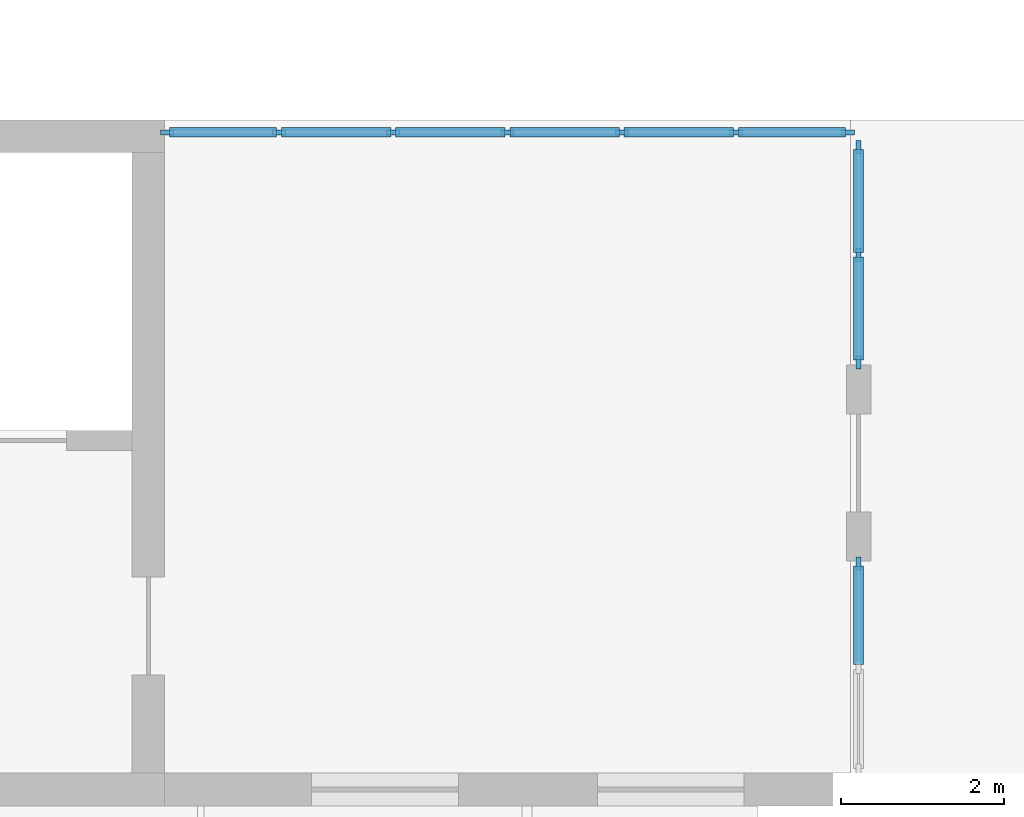
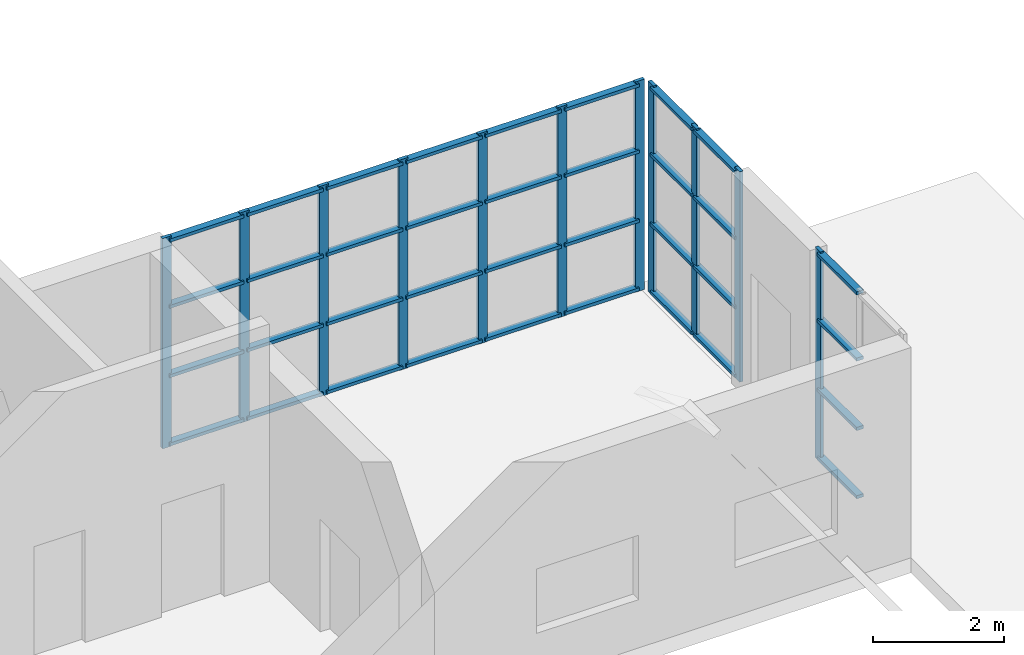
# One storey, part 43 of 100: 47 members, 3 elements without a shape of their own.
"""IFC4 building model written with IfcOpenShell, lengths in metres."""

from ifc_helpers import new_model, si_unit, direction, frame, origin, origin_2d, place, context, subcontext, project, spatial, rectangle, extrude, material, material_profile, profile_set, type_object, element, aggregate, save


model = new_model("IFC4")

# Units and contexts
model_context = context("Model", 3, precision=1e-05, world=origin(), true_north=direction((0.0, 1.0)))
body_context = subcontext(model_context, "Body", "Model", "MODEL_VIEW")
ifc_project = project(units=[si_unit("LENGTHUNIT", "METRE"), si_unit("AREAUNIT", "SQUARE_METRE"), si_unit("VOLUMEUNIT", "CUBIC_METRE"), si_unit("PLANEANGLEUNIT", "RADIAN"), si_unit("MASSUNIT", "GRAM", prefix="KILO")], contexts=[model_context])

# Site, building, storey
site_placement = place(None, origin())
site = spatial("IfcSite", under=ifc_project, at=site_placement, CompositionType="ELEMENT")
building_placement = place(site_placement, origin())
building = spatial("IfcBuilding", under=site, at=building_placement, Name="Cresset Court Congress Hotel", CompositionType="ELEMENT")
storey_placement = place(building_placement, frame((0.0, 0.0, 10.199951171875)))
storey = spatial("IfcBuildingStorey", under=building, at=storey_placement, Name="L02", CompositionType="ELEMENT", Elevation=10.199951171875)

# Curtain wall, members
ifc_material_1 = material(Name="Aluminium frame with insulated glass", Category="aluminium")
curtain_wall_type_1 = type_object("IfcCurtainWallType", Name="Curtain wall module 1400", PredefinedType="NOTDEFINED", material=ifc_material_1)
curtain_wall_1_placement = place(storey_placement, origin())
curtain_wall_1 = element("IfcCurtainWall", 1, at=curtain_wall_1_placement, inside=storey, type_object=curtain_wall_type_1, Name="Curtain wall N", PredefinedType="NOTDEFINED")
ifc_material_2 = material(Name="Aluminium", Category="aluminium")
ifc_material_profile_1 = material_profile(ifc_material_2, rectangle(XDim=0.1201171875, YDim=0.06005859375, at=origin_2d()), Name="AL 120x60")
ifc_profile_set_1 = profile_set([ifc_material_profile_1], Name="Aluminium")
member_type_1 = type_object("IfcMemberType", Name="CW transom RECT 120x60", PredefinedType="USERDEFINED", material=ifc_profile_set_1)
member_1_placement = place(storey_placement, frame((142.860107421875, 109.050048828125, 0.06005859375), z_axis=(1.0, 0.0, 0.0), x_axis=(0.0, 1.0, 0.0)))
member_1 = element("IfcMember", 2, at=member_1_placement, type_object=member_type_1, Name="D-X2 transom 1.1", ObjectType="TRANSOM", PredefinedType="USERDEFINED", context=body_context, shape_type="SweptSolid", body=[
    extrude(rectangle(XDim=0.1201171875, YDim=0.06005859375, at=origin_2d()), origin(), (0.0, 0.0, 1.0), 1.309814453125),
])
member_2_placement = place(storey_placement, frame((142.860107421875, 109.050048828125, 1.3330078125), z_axis=(1.0, 0.0, 0.0), x_axis=(0.0, 1.0, 0.0)))
member_2 = element("IfcMember", 3, at=member_2_placement, type_object=member_type_1, Name="D-X2 transom 1.2", ObjectType="TRANSOM", PredefinedType="USERDEFINED", context=body_context, shape_type="SweptSolid", body=[
    extrude(rectangle(XDim=0.1201171875, YDim=0.06005859375, at=origin_2d()), origin(), (0.0, 0.0, 1.0), 1.309814453125),
])
member_3_placement = place(storey_placement, frame((142.860107421875, 109.050048828125, 2.6259765625), z_axis=(1.0, 0.0, 0.0), x_axis=(0.0, 1.0, 0.0)))
member_3 = element("IfcMember", 4, at=member_3_placement, type_object=member_type_1, Name="D-X2 transom 1.3", ObjectType="TRANSOM", PredefinedType="USERDEFINED", context=body_context, shape_type="SweptSolid", body=[
    extrude(rectangle(XDim=0.1201171875, YDim=0.06005859375, at=origin_2d()), origin(), (0.0, 0.0, 1.0), 1.309814453125),
])
member_4_placement = place(storey_placement, frame((142.860107421875, 109.050048828125, 3.860107421875), z_axis=(1.0, 0.0, 0.0), x_axis=(0.0, 1.0, 0.0)))
member_4 = element("IfcMember", 5, at=member_4_placement, type_object=member_type_1, Name="D-X2 transom 1.4", ObjectType="TRANSOM", PredefinedType="USERDEFINED", context=body_context, shape_type="SweptSolid", body=[
    extrude(rectangle(XDim=0.1201171875, YDim=0.06005859375, at=origin_2d()), origin(), (0.0, 0.0, 1.0), 1.309814453125),
])
member_5_placement = place(storey_placement, frame((144.22998046875, 109.050048828125, 0.06005859375), z_axis=(1.0, 0.0, 0.0), x_axis=(0.0, 1.0, 0.0)))
member_5 = element("IfcMember", 6, at=member_5_placement, type_object=member_type_1, Name="D-X2 transom 2.1", ObjectType="TRANSOM", PredefinedType="USERDEFINED", context=body_context, shape_type="SweptSolid", body=[
    extrude(rectangle(XDim=0.1201171875, YDim=0.06005859375, at=origin_2d()), origin(), (0.0, 0.0, 1.0), 1.340087890625),
])
member_6_placement = place(storey_placement, frame((144.22998046875, 109.050048828125, 1.3330078125), z_axis=(1.0, 0.0, 0.0), x_axis=(0.0, 1.0, 0.0)))
member_6 = element("IfcMember", 7, at=member_6_placement, type_object=member_type_1, Name="D-X2 transom 2.2", ObjectType="TRANSOM", PredefinedType="USERDEFINED", context=body_context, shape_type="SweptSolid", body=[
    extrude(rectangle(XDim=0.1201171875, YDim=0.06005859375, at=origin_2d()), origin(), (0.0, 0.0, 1.0), 1.340087890625),
])
member_7_placement = place(storey_placement, frame((144.22998046875, 109.050048828125, 2.6259765625), z_axis=(1.0, 0.0, 0.0), x_axis=(0.0, 1.0, 0.0)))
member_7 = element("IfcMember", 8, at=member_7_placement, type_object=member_type_1, Name="D-X2 transom 2.3", ObjectType="TRANSOM", PredefinedType="USERDEFINED", context=body_context, shape_type="SweptSolid", body=[
    extrude(rectangle(XDim=0.1201171875, YDim=0.06005859375, at=origin_2d()), origin(), (0.0, 0.0, 1.0), 1.340087890625),
])
member_8_placement = place(storey_placement, frame((144.22998046875, 109.050048828125, 3.860107421875), z_axis=(1.0, 0.0, 0.0), x_axis=(0.0, 1.0, 0.0)))
member_8 = element("IfcMember", 9, at=member_8_placement, type_object=member_type_1, Name="D-X2 transom 2.4", ObjectType="TRANSOM", PredefinedType="USERDEFINED", context=body_context, shape_type="SweptSolid", body=[
    extrude(rectangle(XDim=0.1201171875, YDim=0.06005859375, at=origin_2d()), origin(), (0.0, 0.0, 1.0), 1.340087890625),
])
member_9_placement = place(storey_placement, frame((145.6298828125, 109.050048828125, 0.06005859375), z_axis=(1.0, 0.0, 0.0), x_axis=(0.0, 1.0, 0.0)))
member_9 = element("IfcMember", 10, at=member_9_placement, type_object=member_type_1, Name="D-X2 transom 3.1", ObjectType="TRANSOM", PredefinedType="USERDEFINED", context=body_context, shape_type="SweptSolid", body=[
    extrude(rectangle(XDim=0.1201171875, YDim=0.06005859375, at=origin_2d()), origin(), (0.0, 0.0, 1.0), 1.340087890625),
])
member_10_placement = place(storey_placement, frame((145.6298828125, 109.050048828125, 1.3330078125), z_axis=(1.0, 0.0, 0.0), x_axis=(0.0, 1.0, 0.0)))
member_10 = element("IfcMember", 11, at=member_10_placement, type_object=member_type_1, Name="D-X2 transom 3.2", ObjectType="TRANSOM", PredefinedType="USERDEFINED", context=body_context, shape_type="SweptSolid", body=[
    extrude(rectangle(XDim=0.1201171875, YDim=0.06005859375, at=origin_2d()), origin(), (0.0, 0.0, 1.0), 1.340087890625),
])
member_11_placement = place(storey_placement, frame((145.6298828125, 109.050048828125, 2.6259765625), z_axis=(1.0, 0.0, 0.0), x_axis=(0.0, 1.0, 0.0)))
member_11 = element("IfcMember", 12, at=member_11_placement, type_object=member_type_1, Name="D-X2 transom 3.3", ObjectType="TRANSOM", PredefinedType="USERDEFINED", context=body_context, shape_type="SweptSolid", body=[
    extrude(rectangle(XDim=0.1201171875, YDim=0.06005859375, at=origin_2d()), origin(), (0.0, 0.0, 1.0), 1.340087890625),
])
member_12_placement = place(storey_placement, frame((145.6298828125, 109.050048828125, 3.860107421875), z_axis=(1.0, 0.0, 0.0), x_axis=(0.0, 1.0, 0.0)))
member_12 = element("IfcMember", 13, at=member_12_placement, type_object=member_type_1, Name="D-X2 transom 3.4", ObjectType="TRANSOM", PredefinedType="USERDEFINED", context=body_context, shape_type="SweptSolid", body=[
    extrude(rectangle(XDim=0.1201171875, YDim=0.06005859375, at=origin_2d()), origin(), (0.0, 0.0, 1.0), 1.340087890625),
])
member_13_placement = place(storey_placement, frame((147.030029296875, 109.050048828125, 0.06005859375), z_axis=(1.0, 0.0, 0.0), x_axis=(0.0, 1.0, 0.0)))
member_13 = element("IfcMember", 14, at=member_13_placement, type_object=member_type_1, Name="D-X2 transom 4.1", ObjectType="TRANSOM", PredefinedType="USERDEFINED", context=body_context, shape_type="SweptSolid", body=[
    extrude(rectangle(XDim=0.1201171875, YDim=0.06005859375, at=origin_2d()), origin(), (0.0, 0.0, 1.0), 1.340087890625),
])
member_14_placement = place(storey_placement, frame((147.030029296875, 109.050048828125, 1.3330078125), z_axis=(1.0, 0.0, 0.0), x_axis=(0.0, 1.0, 0.0)))
member_14 = element("IfcMember", 15, at=member_14_placement, type_object=member_type_1, Name="D-X2 transom 4.2", ObjectType="TRANSOM", PredefinedType="USERDEFINED", context=body_context, shape_type="SweptSolid", body=[
    extrude(rectangle(XDim=0.1201171875, YDim=0.06005859375, at=origin_2d()), origin(), (0.0, 0.0, 1.0), 1.340087890625),
])
member_15_placement = place(storey_placement, frame((147.030029296875, 109.050048828125, 2.6259765625), z_axis=(1.0, 0.0, 0.0), x_axis=(0.0, 1.0, 0.0)))
member_15 = element("IfcMember", 16, at=member_15_placement, type_object=member_type_1, Name="D-X2 transom 4.3", ObjectType="TRANSOM", PredefinedType="USERDEFINED", context=body_context, shape_type="SweptSolid", body=[
    extrude(rectangle(XDim=0.1201171875, YDim=0.06005859375, at=origin_2d()), origin(), (0.0, 0.0, 1.0), 1.340087890625),
])
member_16_placement = place(storey_placement, frame((147.030029296875, 109.050048828125, 3.860107421875), z_axis=(1.0, 0.0, 0.0), x_axis=(0.0, 1.0, 0.0)))
member_16 = element("IfcMember", 17, at=member_16_placement, type_object=member_type_1, Name="D-X2 transom 4.4", ObjectType="TRANSOM", PredefinedType="USERDEFINED", context=body_context, shape_type="SweptSolid", body=[
    extrude(rectangle(XDim=0.1201171875, YDim=0.06005859375, at=origin_2d()), origin(), (0.0, 0.0, 1.0), 1.340087890625),
])
member_17_placement = place(storey_placement, frame((148.429931640625, 109.050048828125, 0.06005859375), z_axis=(1.0, 0.0, 0.0), x_axis=(0.0, 1.0, 0.0)))
member_17 = element("IfcMember", 18, at=member_17_placement, type_object=member_type_1, Name="D-X2 transom 5.1", ObjectType="TRANSOM", PredefinedType="USERDEFINED", context=body_context, shape_type="SweptSolid", body=[
    extrude(rectangle(XDim=0.1201171875, YDim=0.06005859375, at=origin_2d()), origin(), (0.0, 0.0, 1.0), 1.340087890625),
])
member_18_placement = place(storey_placement, frame((148.429931640625, 109.050048828125, 1.3330078125), z_axis=(1.0, 0.0, 0.0), x_axis=(0.0, 1.0, 0.0)))
member_18 = element("IfcMember", 19, at=member_18_placement, type_object=member_type_1, Name="D-X2 transom 5.2", ObjectType="TRANSOM", PredefinedType="USERDEFINED", context=body_context, shape_type="SweptSolid", body=[
    extrude(rectangle(XDim=0.1201171875, YDim=0.06005859375, at=origin_2d()), origin(), (0.0, 0.0, 1.0), 1.340087890625),
])
member_19_placement = place(storey_placement, frame((148.429931640625, 109.050048828125, 2.6259765625), z_axis=(1.0, 0.0, 0.0), x_axis=(0.0, 1.0, 0.0)))
member_19 = element("IfcMember", 20, at=member_19_placement, type_object=member_type_1, Name="D-X2 transom 5.3", ObjectType="TRANSOM", PredefinedType="USERDEFINED", context=body_context, shape_type="SweptSolid", body=[
    extrude(rectangle(XDim=0.1201171875, YDim=0.06005859375, at=origin_2d()), origin(), (0.0, 0.0, 1.0), 1.340087890625),
])
member_20_placement = place(storey_placement, frame((148.429931640625, 109.050048828125, 3.860107421875), z_axis=(1.0, 0.0, 0.0), x_axis=(0.0, 1.0, 0.0)))
member_20 = element("IfcMember", 21, at=member_20_placement, type_object=member_type_1, Name="D-X2 transom 5.4", ObjectType="TRANSOM", PredefinedType="USERDEFINED", context=body_context, shape_type="SweptSolid", body=[
    extrude(rectangle(XDim=0.1201171875, YDim=0.06005859375, at=origin_2d()), origin(), (0.0, 0.0, 1.0), 1.340087890625),
])
member_21_placement = place(storey_placement, frame((149.830078125, 109.050048828125, 0.06005859375), z_axis=(1.0, 0.0, 0.0), x_axis=(0.0, 1.0, 0.0)))
member_21 = element("IfcMember", 22, at=member_21_placement, type_object=member_type_1, Name="D-X2 transom 6.1", ObjectType="TRANSOM", PredefinedType="USERDEFINED", context=body_context, shape_type="SweptSolid", body=[
    extrude(rectangle(XDim=0.1201171875, YDim=0.06005859375, at=origin_2d()), origin(), (0.0, 0.0, 1.0), 1.309814453125),
])
member_22_placement = place(storey_placement, frame((149.830078125, 109.050048828125, 1.3330078125), z_axis=(1.0, 0.0, 0.0), x_axis=(0.0, 1.0, 0.0)))
member_22 = element("IfcMember", 23, at=member_22_placement, type_object=member_type_1, Name="D-X2 transom 6.2", ObjectType="TRANSOM", PredefinedType="USERDEFINED", context=body_context, shape_type="SweptSolid", body=[
    extrude(rectangle(XDim=0.1201171875, YDim=0.06005859375, at=origin_2d()), origin(), (0.0, 0.0, 1.0), 1.309814453125),
])
member_23_placement = place(storey_placement, frame((149.830078125, 109.050048828125, 2.6259765625), z_axis=(1.0, 0.0, 0.0), x_axis=(0.0, 1.0, 0.0)))
member_23 = element("IfcMember", 24, at=member_23_placement, type_object=member_type_1, Name="D-X2 transom 6.3", ObjectType="TRANSOM", PredefinedType="USERDEFINED", context=body_context, shape_type="SweptSolid", body=[
    extrude(rectangle(XDim=0.1201171875, YDim=0.06005859375, at=origin_2d()), origin(), (0.0, 0.0, 1.0), 1.309814453125),
])
member_24_placement = place(storey_placement, frame((149.830078125, 109.050048828125, 3.860107421875), z_axis=(1.0, 0.0, 0.0), x_axis=(0.0, 1.0, 0.0)))
member_24 = element("IfcMember", 25, at=member_24_placement, type_object=member_type_1, Name="D-X2 transom 6.4", ObjectType="TRANSOM", PredefinedType="USERDEFINED", context=body_context, shape_type="SweptSolid", body=[
    extrude(rectangle(XDim=0.1201171875, YDim=0.06005859375, at=origin_2d()), origin(), (0.0, 0.0, 1.0), 1.309814453125),
])

ifc_material_3 = material(Name="Aluminium frame with insulated glass", Category="aluminium")
curtain_wall_type_2 = type_object("IfcCurtainWallType", Name="Curtain wall module 1300", PredefinedType="NOTDEFINED", material=ifc_material_3)
curtain_wall_2_placement = place(storey_placement, origin())
curtain_wall_2 = element("IfcCurtainWall", 26, at=curtain_wall_2_placement, inside=storey, type_object=curtain_wall_type_2, Name="Curtain wall E1", PredefinedType="NOTDEFINED")
member_25_placement = place(storey_placement, frame((151.300048828125, 102.530029296875, 0.06005859375), z_axis=(0.0, 1.0, 0.0), x_axis=(-1.0, 0.0, 0.0)))
member_25 = element("IfcMember", 27, at=member_25_placement, type_object=member_type_1, Name="E-X1 transom 2.1", ObjectType="TRANSOM", PredefinedType="USERDEFINED", context=body_context, shape_type="SweptSolid", body=[
    extrude(rectangle(XDim=0.1201171875, YDim=0.06005859375, at=origin_2d()), origin(), (0.0, 0.0, 1.0), 1.2099609375),
])
member_26_placement = place(storey_placement, frame((151.300048828125, 102.530029296875, 1.3330078125), z_axis=(0.0, 1.0, 0.0), x_axis=(-1.0, 0.0, 0.0)))
member_26 = element("IfcMember", 28, at=member_26_placement, type_object=member_type_1, Name="E-X1 transom 2.2", ObjectType="TRANSOM", PredefinedType="USERDEFINED", context=body_context, shape_type="SweptSolid", body=[
    extrude(rectangle(XDim=0.1201171875, YDim=0.06005859375, at=origin_2d()), origin(), (0.0, 0.0, 1.0), 1.2099609375),
])
member_27_placement = place(storey_placement, frame((151.300048828125, 102.530029296875, 2.6259765625), z_axis=(0.0, 1.0, 0.0), x_axis=(-1.0, 0.0, 0.0)))
member_27 = element("IfcMember", 29, at=member_27_placement, type_object=member_type_1, Name="E-X1 transom 2.3", ObjectType="TRANSOM", PredefinedType="USERDEFINED", context=body_context, shape_type="SweptSolid", body=[
    extrude(rectangle(XDim=0.1201171875, YDim=0.06005859375, at=origin_2d()), origin(), (0.0, 0.0, 1.0), 1.2099609375),
])
member_28_placement = place(storey_placement, frame((151.300048828125, 102.530029296875, 3.860107421875), z_axis=(0.0, 1.0, 0.0), x_axis=(-1.0, 0.0, 0.0)))
member_28 = element("IfcMember", 30, at=member_28_placement, type_object=member_type_1, Name="E-X1 transom 2.4", ObjectType="TRANSOM", PredefinedType="USERDEFINED", context=body_context, shape_type="SweptSolid", body=[
    extrude(rectangle(XDim=0.1201171875, YDim=0.06005859375, at=origin_2d()), origin(), (0.0, 0.0, 1.0), 1.2099609375),
])

ifc_material_4 = material(Name="Aluminium frame with insulated glass", Category="aluminium")
curtain_wall_type_3 = type_object("IfcCurtainWallType", Name="Curtain wall module 1350", PredefinedType="NOTDEFINED", material=ifc_material_4)
curtain_wall_3_placement = place(storey_placement, origin())
curtain_wall_3 = element("IfcCurtainWall", 31, at=curtain_wall_3_placement, inside=storey, type_object=curtain_wall_type_3, Name="Curtain wall E2", PredefinedType="NOTDEFINED")
member_29_placement = place(storey_placement, frame((151.300048828125, 106.260009765625, 0.06005859375), z_axis=(0.0, 1.0, 0.0), x_axis=(-1.0, 0.0, 0.0)))
member_29 = element("IfcMember", 32, at=member_29_placement, type_object=member_type_1, Name="E-X2 transom 1.1", ObjectType="TRANSOM", PredefinedType="USERDEFINED", context=body_context, shape_type="SweptSolid", body=[
    extrude(rectangle(XDim=0.1201171875, YDim=0.06005859375, at=origin_2d()), origin(), (0.0, 0.0, 1.0), 1.260009765625),
])
member_30_placement = place(storey_placement, frame((151.300048828125, 106.260009765625, 1.3330078125), z_axis=(0.0, 1.0, 0.0), x_axis=(-1.0, 0.0, 0.0)))
member_30 = element("IfcMember", 33, at=member_30_placement, type_object=member_type_1, Name="E-X2 transom 1.2", ObjectType="TRANSOM", PredefinedType="USERDEFINED", context=body_context, shape_type="SweptSolid", body=[
    extrude(rectangle(XDim=0.1201171875, YDim=0.06005859375, at=origin_2d()), origin(), (0.0, 0.0, 1.0), 1.260009765625),
])
member_31_placement = place(storey_placement, frame((151.300048828125, 106.260009765625, 2.6259765625), z_axis=(0.0, 1.0, 0.0), x_axis=(-1.0, 0.0, 0.0)))
member_31 = element("IfcMember", 34, at=member_31_placement, type_object=member_type_1, Name="E-X2 transom 1.3", ObjectType="TRANSOM", PredefinedType="USERDEFINED", context=body_context, shape_type="SweptSolid", body=[
    extrude(rectangle(XDim=0.1201171875, YDim=0.06005859375, at=origin_2d()), origin(), (0.0, 0.0, 1.0), 1.260009765625),
])
member_32_placement = place(storey_placement, frame((151.300048828125, 106.260009765625, 3.860107421875), z_axis=(0.0, 1.0, 0.0), x_axis=(-1.0, 0.0, 0.0)))
member_32 = element("IfcMember", 35, at=member_32_placement, type_object=member_type_1, Name="E-X2 transom 1.4", ObjectType="TRANSOM", PredefinedType="USERDEFINED", context=body_context, shape_type="SweptSolid", body=[
    extrude(rectangle(XDim=0.1201171875, YDim=0.06005859375, at=origin_2d()), origin(), (0.0, 0.0, 1.0), 1.260009765625),
])
member_33_placement = place(storey_placement, frame((151.300048828125, 107.580078125, 0.06005859375), z_axis=(0.0, 1.0, 0.0), x_axis=(-1.0, 0.0, 0.0)))
member_33 = element("IfcMember", 36, at=member_33_placement, type_object=member_type_1, Name="E-X2 transom 2.1", ObjectType="TRANSOM", PredefinedType="USERDEFINED", context=body_context, shape_type="SweptSolid", body=[
    extrude(rectangle(XDim=0.1201171875, YDim=0.06005859375, at=origin_2d()), origin(), (0.0, 0.0, 1.0), 1.260009765625),
])
member_34_placement = place(storey_placement, frame((151.300048828125, 107.580078125, 1.3330078125), z_axis=(0.0, 1.0, 0.0), x_axis=(-1.0, 0.0, 0.0)))
member_34 = element("IfcMember", 37, at=member_34_placement, type_object=member_type_1, Name="E-X2 transom 2.2", ObjectType="TRANSOM", PredefinedType="USERDEFINED", context=body_context, shape_type="SweptSolid", body=[
    extrude(rectangle(XDim=0.1201171875, YDim=0.06005859375, at=origin_2d()), origin(), (0.0, 0.0, 1.0), 1.260009765625),
])
member_35_placement = place(storey_placement, frame((151.300048828125, 107.580078125, 2.6259765625), z_axis=(0.0, 1.0, 0.0), x_axis=(-1.0, 0.0, 0.0)))
member_35 = element("IfcMember", 38, at=member_35_placement, type_object=member_type_1, Name="E-X2 transom 2.3", ObjectType="TRANSOM", PredefinedType="USERDEFINED", context=body_context, shape_type="SweptSolid", body=[
    extrude(rectangle(XDim=0.1201171875, YDim=0.06005859375, at=origin_2d()), origin(), (0.0, 0.0, 1.0), 1.260009765625),
])
member_36_placement = place(storey_placement, frame((151.300048828125, 107.580078125, 3.860107421875), z_axis=(0.0, 1.0, 0.0), x_axis=(-1.0, 0.0, 0.0)))
member_36 = element("IfcMember", 39, at=member_36_placement, type_object=member_type_1, Name="E-X2 transom 2.4", ObjectType="TRANSOM", PredefinedType="USERDEFINED", context=body_context, shape_type="SweptSolid", body=[
    extrude(rectangle(XDim=0.1201171875, YDim=0.06005859375, at=origin_2d()), origin(), (0.0, 0.0, 1.0), 1.260009765625),
])

# Member
ifc_material_5 = material(Name="Anodised aluminium", Category="aluminium")
ifc_material_profile_2 = material_profile(ifc_material_5, rectangle(XDim=0.06005859375, YDim=0.159912109375, at=origin_2d()), Name="AL60x160")
ifc_profile_set_2 = profile_set([ifc_material_profile_2], Name="Anodised aluminium")
member_type_2 = type_object("IfcMemberType", Name="Curtain wall mullion 60x160", PredefinedType="MULLION", material=ifc_profile_set_2)
member_37_placement = place(storey_placement, frame((142.830078125, 109.050048828125, 0.0), z_axis=(0.0, 0.0, 1.0), x_axis=(0.0, 1.0, 0.0)))
member_37 = element("IfcMember", 40, at=member_37_placement, type_object=member_type_2, Name="D-X2 mullion 1", PredefinedType="MULLION", context=body_context, shape_type="SweptSolid", body=[
    extrude(rectangle(XDim=0.06005859375, YDim=0.159912109375, at=origin_2d()), origin(), (0.0, 0.0, 1.0), 3.920166015625),
])

member_38_placement = place(storey_placement, frame((144.199951171875, 109.050048828125, 0.0), z_axis=(0.0, 0.0, 1.0), x_axis=(0.0, 1.0, 0.0)))
member_38 = element("IfcMember", 41, at=member_38_placement, type_object=member_type_2, Name="D-X2 mullion 2", PredefinedType="MULLION", context=body_context, shape_type="SweptSolid", body=[
    extrude(rectangle(XDim=0.06005859375, YDim=0.159912109375, at=origin_2d()), origin(), (0.0, 0.0, 1.0), 3.920166015625),
])

member_39_placement = place(storey_placement, frame((145.60009765625, 109.050048828125, 0.0), z_axis=(0.0, 0.0, 1.0), x_axis=(0.0, 1.0, 0.0)))
member_39 = element("IfcMember", 42, at=member_39_placement, type_object=member_type_2, Name="D-X2 mullion 3", PredefinedType="MULLION", context=body_context, shape_type="SweptSolid", body=[
    extrude(rectangle(XDim=0.06005859375, YDim=0.159912109375, at=origin_2d()), origin(), (0.0, 0.0, 1.0), 3.920166015625),
])

member_40_placement = place(storey_placement, frame((147.0, 109.050048828125, 0.0), z_axis=(0.0, 0.0, 1.0), x_axis=(0.0, 1.0, 0.0)))
member_40 = element("IfcMember", 43, at=member_40_placement, type_object=member_type_2, Name="D-X2 mullion 4", PredefinedType="MULLION", context=body_context, shape_type="SweptSolid", body=[
    extrude(rectangle(XDim=0.06005859375, YDim=0.159912109375, at=origin_2d()), origin(), (0.0, 0.0, 1.0), 3.920166015625),
])

member_41_placement = place(storey_placement, frame((148.39990234375, 109.050048828125, 0.0), z_axis=(0.0, 0.0, 1.0), x_axis=(0.0, 1.0, 0.0)))
member_41 = element("IfcMember", 44, at=member_41_placement, type_object=member_type_2, Name="D-X2 mullion 5", PredefinedType="MULLION", context=body_context, shape_type="SweptSolid", body=[
    extrude(rectangle(XDim=0.06005859375, YDim=0.159912109375, at=origin_2d()), origin(), (0.0, 0.0, 1.0), 3.920166015625),
])

member_42_placement = place(storey_placement, frame((149.800048828125, 109.050048828125, 0.0), z_axis=(0.0, 0.0, 1.0), x_axis=(0.0, 1.0, 0.0)))
member_42 = element("IfcMember", 45, at=member_42_placement, type_object=member_type_2, Name="D-X2 mullion 6", PredefinedType="MULLION", context=body_context, shape_type="SweptSolid", body=[
    extrude(rectangle(XDim=0.06005859375, YDim=0.159912109375, at=origin_2d()), origin(), (0.0, 0.0, 1.0), 3.920166015625),
])

member_43_placement = place(storey_placement, frame((151.169921875, 109.050048828125, 0.0), z_axis=(0.0, 0.0, 1.0), x_axis=(0.0, 1.0, 0.0)))
member_43 = element("IfcMember", 46, at=member_43_placement, type_object=member_type_2, Name="D-X2 mullion 7", PredefinedType="MULLION", context=body_context, shape_type="SweptSolid", body=[
    extrude(rectangle(XDim=0.06005859375, YDim=0.159912109375, at=origin_2d()), origin(), (0.0, 0.0, 1.0), 3.920166015625),
])

aggregate(curtain_wall_1, [member_37, member_38, member_39, member_40, member_41, member_42, member_43, member_1, member_2, member_3, member_4, member_5, member_6, member_7, member_8, member_9, member_10, member_11, member_12, member_13, member_14, member_15, member_16, member_17, member_18, member_19, member_20, member_21, member_22, member_23, member_24])

member_44_placement = place(storey_placement, frame((151.300048828125, 103.77001953125, 0.0), z_axis=(0.0, 0.0, 1.0), x_axis=(-1.0, 0.0, 0.0)))
member_44 = element("IfcMember", 47, at=member_44_placement, type_object=member_type_2, Name="E-X1 mullion 3", PredefinedType="MULLION", context=body_context, shape_type="SweptSolid", body=[
    extrude(rectangle(XDim=0.06005859375, YDim=0.159912109375, at=origin_2d()), origin(), (0.0, 0.0, 1.0), 3.920166015625),
])

aggregate(curtain_wall_2, [member_44, member_25, member_26, member_27, member_28])

member_45_placement = place(storey_placement, frame((151.300048828125, 106.22998046875, 0.0), z_axis=(0.0, 0.0, 1.0), x_axis=(-1.0, 0.0, 0.0)))
member_45 = element("IfcMember", 48, at=member_45_placement, type_object=member_type_2, Name="E-X2 mullion 1", PredefinedType="MULLION", context=body_context, shape_type="SweptSolid", body=[
    extrude(rectangle(XDim=0.06005859375, YDim=0.159912109375, at=origin_2d()), origin(), (0.0, 0.0, 1.0), 3.920166015625),
])

member_46_placement = place(storey_placement, frame((151.300048828125, 107.550048828125, 0.0), z_axis=(0.0, 0.0, 1.0), x_axis=(-1.0, 0.0, 0.0)))
member_46 = element("IfcMember", 49, at=member_46_placement, type_object=member_type_2, Name="E-X2 mullion 2", PredefinedType="MULLION", context=body_context, shape_type="SweptSolid", body=[
    extrude(rectangle(XDim=0.06005859375, YDim=0.159912109375, at=origin_2d()), origin(), (0.0, 0.0, 1.0), 3.920166015625),
])

member_47_placement = place(storey_placement, frame((151.300048828125, 108.8701171875, 0.0), z_axis=(0.0, 0.0, 1.0), x_axis=(-1.0, 0.0, 0.0)))
member_47 = element("IfcMember", 50, at=member_47_placement, type_object=member_type_2, Name="E-X2 mullion 3", PredefinedType="MULLION", context=body_context, shape_type="SweptSolid", body=[
    extrude(rectangle(XDim=0.06005859375, YDim=0.159912109375, at=origin_2d()), origin(), (0.0, 0.0, 1.0), 3.920166015625),
])

aggregate(curtain_wall_3, [member_45, member_46, member_47, member_29, member_30, member_31, member_32, member_33, member_34, member_35, member_36])

save(model, "model.ifc")
